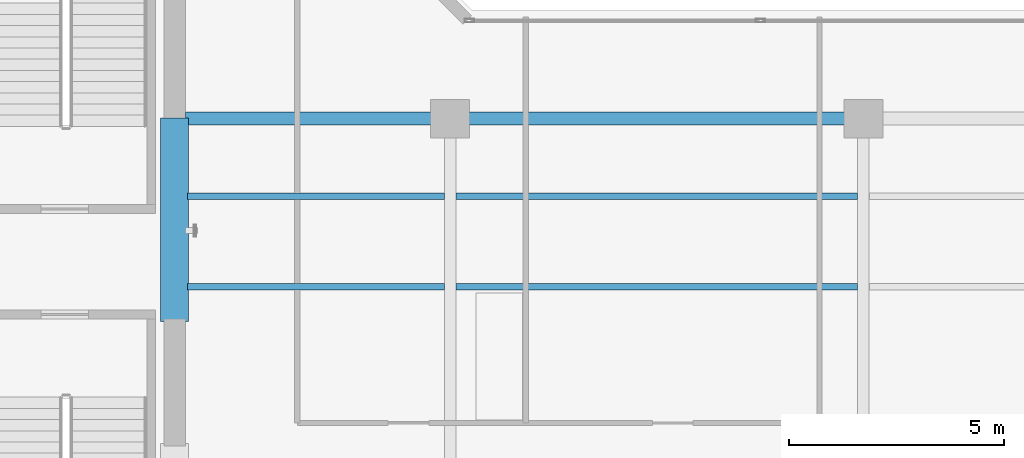
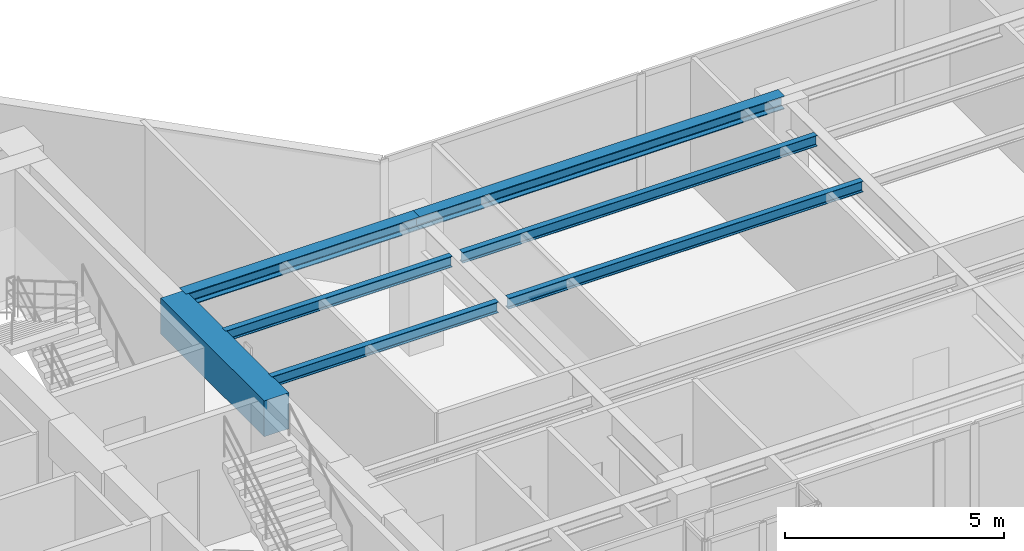
# One storey, part 6 of 24: 7 beams.
"""IFC4 building model written with IfcOpenShell, lengths in metres."""

from ifc_helpers import new_model, si_unit, direction, frame, origin, origin_2d, place, context, subcontext, project, spatial, rectangle, i_section, extrude, material, material_profile, profile_set, type_object, element, save


model = new_model("IFC4")

# Units and contexts
model_context = context("Model", 3, precision=1e-05, world=origin(), true_north=direction((0.0, 1.0)))
body_context = subcontext(model_context, "Body", "Model", "MODEL_VIEW")
ifc_project = project(units=[si_unit("LENGTHUNIT", "METRE"), si_unit("AREAUNIT", "SQUARE_METRE"), si_unit("VOLUMEUNIT", "CUBIC_METRE"), si_unit("PLANEANGLEUNIT", "RADIAN"), si_unit("MASSUNIT", "GRAM", prefix="KILO")], contexts=[model_context])

# Site, building, storey
site_placement = place(None, origin())
site = spatial("IfcSite", under=ifc_project, at=site_placement, CompositionType="ELEMENT")
building_placement = place(site_placement, origin())
building = spatial("IfcBuilding", under=site, at=building_placement, Name="Kolvaren Waterfront Exchange", CompositionType="ELEMENT")
storey_placement = place(building_placement, frame((0.0, 0.0, 293.199951171875)))
storey = spatial("IfcBuildingStorey", under=building, at=storey_placement, Name="L75", CompositionType="ELEMENT", Elevation=293.199951171875)

# Beams
ifc_material_1 = material(Name="Steel S355", Category="steel")
ifc_material_profile_1 = material_profile(ifc_material_1, i_section(OverallWidth=0.300048828125, OverallDepth=0.360107421875, WebThickness=0.012451171875, FlangeThickness=0.0224609375, FilletRadius=0.027099609375, at=origin_2d()), Name="HEB360")
ifc_profile_set_1 = profile_set([ifc_material_profile_1], Name="Steel S355")
beam_type_1 = type_object("IfcBeamType", Name="STR-BM-HEB360", PredefinedType="SPANDREL", material=ifc_profile_set_1)
beam_1_placement = place(storey_placement, frame((21.050048828125, 17.39990234375, 3.380126953125), z_axis=(1.0, 0.0, 0.0), x_axis=(0.0, 1.0, 0.0)))
element("IfcBeam", 1, at=beam_1_placement, inside=storey, type_object=beam_type_1, Name="L75 east-arm spandrel N1", PredefinedType="SPANDREL", context=body_context, shape_type="SweptSolid", body=[
    extrude(i_section(OverallWidth=0.300048828125, OverallDepth=0.360107421875, WebThickness=0.012451171875, FlangeThickness=0.0224609375, FilletRadius=0.027099609375, at=origin_2d()), origin(), (0.0, 0.0, 1.0), 6.14990234375),
])
beam_2_placement = place(storey_placement, frame((27.199951171875, 17.39990234375, 3.380126953125), z_axis=(1.0, 0.0, 0.0), x_axis=(0.0, 1.0, 0.0)))
element("IfcBeam", 2, at=beam_2_placement, inside=storey, type_object=beam_type_1, Name="L75 east-arm spandrel N2", PredefinedType="SPANDREL", context=body_context, shape_type="SweptSolid", body=[
    extrude(i_section(OverallWidth=0.300048828125, OverallDepth=0.360107421875, WebThickness=0.012451171875, FlangeThickness=0.0224609375, FilletRadius=0.027099609375, at=origin_2d()), origin(), (0.0, 0.0, 1.0), 9.60009765625),
])
ifc_material_profile_2 = material_profile(ifc_material_1, i_section(OverallWidth=0.14990234375, OverallDepth=0.300048828125, WebThickness=0.007080078125, FlangeThickness=0.0107421875, FilletRadius=0.014892578125, at=origin_2d()), Name="IPE300")
ifc_profile_set_2 = profile_set([ifc_material_profile_2], Name="Steel S355")
beam_type_2 = type_object("IfcBeamType", Name="STR-BM-IPE300", PredefinedType="JOIST", material=ifc_profile_set_2)
for number, where, z_axis, x_axis, name in (
    (3, (21.10009765625, 13.5, 3.41015625), (1.0, 0.0, 0.0), (0.0, 1.0, 0.0), "L75 east-arm composite joist 1A"),
    (4, (21.10009765625, 15.60009765625, 3.41015625), (1.0, 0.0, 0.0), (0.0, 1.0, 0.0), "L75 east-arm composite joist 1C"),
):
    element("IfcBeam", number, at=place(storey_placement, frame(where, z_axis=z_axis, x_axis=x_axis)), inside=storey, type_object=beam_type_2, Name=name, PredefinedType="JOIST", context=body_context, shape_type="SweptSolid", body=[
        extrude(i_section(OverallWidth=0.14990234375, OverallDepth=0.300048828125, WebThickness=0.007080078125, FlangeThickness=0.0107421875, FilletRadius=0.014892578125, at=origin_2d()), origin(), (0.0, 0.0, 1.0), 5.96435546875),
    ])
for number, where, z_axis, x_axis, name in (
    (5, (27.33544921875, 13.5, 3.41015625), (1.0, 0.0, 0.0), (0.0, 1.0, 0.0), "L75 east-arm composite joist 2A"),
    (6, (27.33544921875, 15.60009765625, 3.41015625), (1.0, 0.0, 0.0), (0.0, 1.0, 0.0), "L75 east-arm composite joist 2C"),
):
    element("IfcBeam", number, at=place(storey_placement, frame(where, z_axis=z_axis, x_axis=x_axis)), inside=storey, type_object=beam_type_2, Name=name, PredefinedType="JOIST", context=body_context, shape_type="SweptSolid", body=[
        extrude(i_section(OverallWidth=0.14990234375, OverallDepth=0.300048828125, WebThickness=0.007080078125, FlangeThickness=0.0107421875, FilletRadius=0.014892578125, at=origin_2d()), origin(), (0.0, 0.0, 1.0), 9.3291015625),
    ])
ifc_material_2 = material(Name="Concrete C60/75", Category="concrete")
ifc_material_profile_3 = material_profile(ifc_material_2, rectangle(XDim=0.64990234375, YDim=1.0, at=origin_2d()), Name="RC-CB-1000x650")
ifc_profile_set_3 = profile_set([ifc_material_profile_3], Name="Concrete C60/75")
beam_type_3 = type_object("IfcBeamType", Name="STR-CB-1000", PredefinedType="SPANDREL", material=ifc_profile_set_3)
beam_3_placement = place(storey_placement, frame((20.800048828125, 12.68994140625, 3.06005859375), z_axis=(0.0, 1.0, 0.0), x_axis=(-1.0, 0.0, 0.0)))
element("IfcBeam", 7, at=beam_3_placement, inside=storey, type_object=beam_type_3, Name="L75 core coupling beam 2", PredefinedType="SPANDREL", context=body_context, shape_type="SweptSolid", body=[
    extrude(rectangle(XDim=0.64990234375, YDim=1.0, at=origin_2d()), origin(), (0.0, 0.0, 1.0), 4.719970703125),
])

save(model, "model.ifc")
